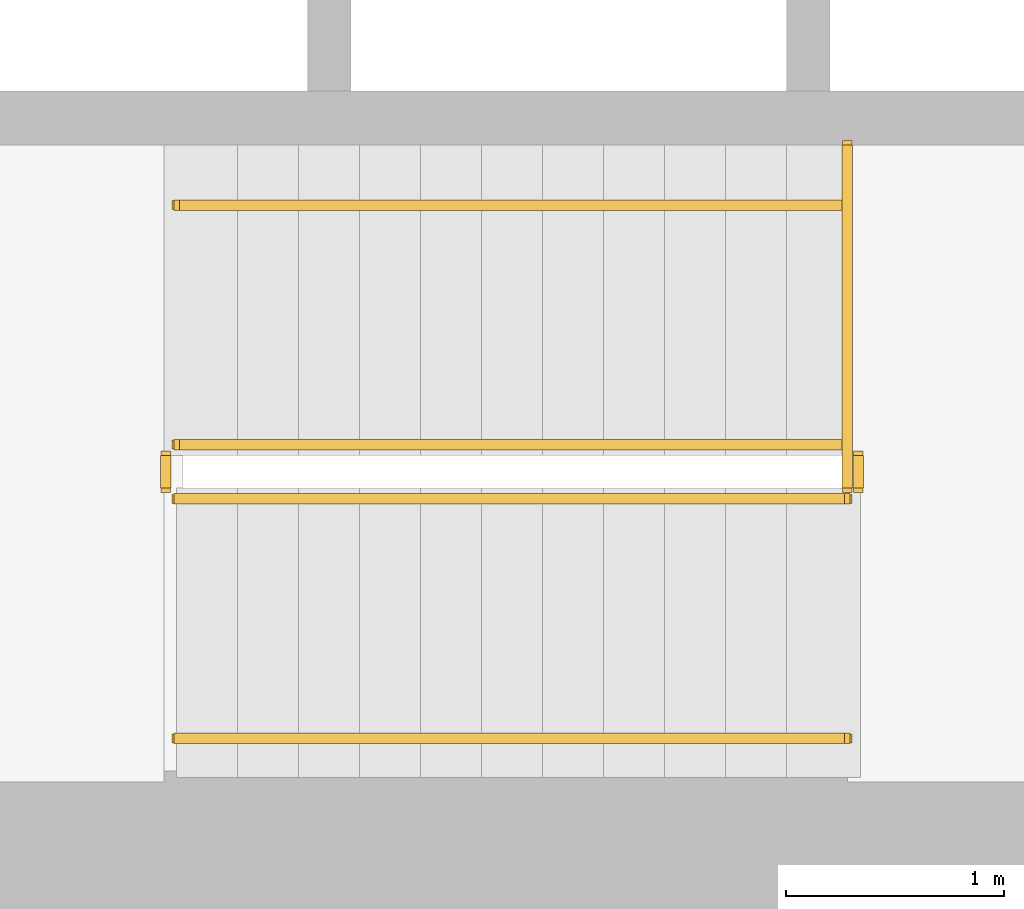
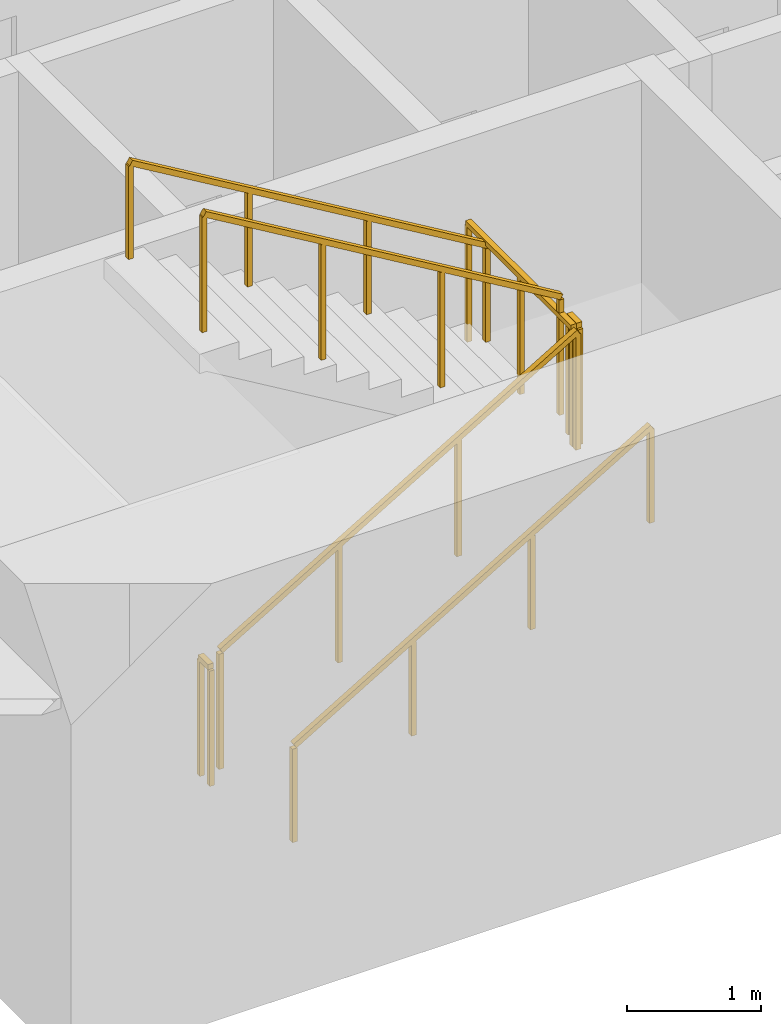
# One storey, part 13 of 16: 7 railings.
"""IFC4 building model written with IfcOpenShell, lengths in metres."""

from ifc_helpers import new_model, si_unit, direction, frame, origin, origin_2d, place, context, subcontext, project, spatial, rectangle, extrude, material, type_object, element, save


model = new_model("IFC4")

# Units and contexts
model_context = context("Model", 3, precision=1e-05, world=origin(), true_north=direction((0.0, 1.0)))
body_context = subcontext(model_context, "Body", "Model", "MODEL_VIEW")
ifc_project = project(units=[si_unit("LENGTHUNIT", "METRE"), si_unit("AREAUNIT", "SQUARE_METRE"), si_unit("VOLUMEUNIT", "CUBIC_METRE"), si_unit("PLANEANGLEUNIT", "RADIAN"), si_unit("MASSUNIT", "GRAM", prefix="KILO")], contexts=[model_context])

# Site, building, storey
site_placement = place(None, origin())
site = spatial("IfcSite", under=ifc_project, at=site_placement, CompositionType="ELEMENT")
building_placement = place(site_placement, origin())
building = spatial("IfcBuilding", under=site, at=building_placement, Name="Sennacour Bend Tower", CompositionType="ELEMENT")
storey_placement = place(building_placement, frame((0.0, 0.0, 69.0)))
storey = spatial("IfcBuildingStorey", under=building, at=storey_placement, Name="L15", CompositionType="ELEMENT", Elevation=69.0)

# Railings
ifc_material = material(Name="Stainless steel", Category="steel")
railing_type_1 = type_object("IfcRailingType", Name="RL-GUARD-1100", PredefinedType="GUARDRAIL", material=ifc_material)
railing_1_placement = place(storey_placement, frame((56.699951171875, 2.449951171875, 0.166748046875)))
element("IfcRailing", 1, at=railing_1_placement, inside=storey, type_object=railing_type_1, Name="L15 SA1 stair guard 1", PredefinedType="GUARDRAIL", context=body_context, shape_type="SweptSolid", body=[
    extrude(rectangle(XDim=0.048095703125, YDim=0.048095703125, at=origin_2d()), frame((0.0, 0.0, 1.076171875), z_axis=(0.859308565015, 0.0, 0.511457515432), x_axis=(0.0, 1.0, 0.0)), (0.0, 0.0, 1.0), 3.58447265625),
    extrude(rectangle(XDim=0.0419921875, YDim=0.0419921875, at=origin_2d()), origin(), (0.0, 0.0, 1.0), 1.052001953125),
    extrude(rectangle(XDim=0.0419921875, YDim=0.0419921875, at=origin_2d()), frame((1.026611328125, 0.0, 0.611083984375)), (0.0, 0.0, 1.0), 1.052001953125),
    extrude(rectangle(XDim=0.0419921875, YDim=0.0419921875, at=origin_2d()), frame((2.053466796875, 0.0, 1.22216796875)), (0.0, 0.0, 1.0), 1.052001953125),
    extrude(rectangle(XDim=0.0419921875, YDim=0.0419921875, at=origin_2d()), frame((3.080078125, 0.0, 1.833251953125)), (0.0, 0.0, 1.0), 1.052001953125),
])
railing_2_placement = place(storey_placement, frame((59.830078125, 2.5, 2.0)))
element("IfcRailing", 2, at=railing_2_placement, inside=storey, type_object=railing_type_1, Name="L15 SA1 stair guard 2", PredefinedType="GUARDRAIL", context=body_context, shape_type="SweptSolid", body=[
    extrude(rectangle(XDim=0.048095703125, YDim=0.048095703125, at=origin_2d()), frame((0.0, 0.0, 1.076171875), z_axis=(0.0, 1.0, 0.0), x_axis=(-1.0, 0.0, 0.0)), (0.0, 0.0, 1.0), 0.14990234375),
    extrude(rectangle(XDim=0.0419921875, YDim=0.0419921875, at=origin_2d()), origin(), (0.0, 0.0, 1.0), 1.052001953125),
    extrude(rectangle(XDim=0.0419921875, YDim=0.0419921875, at=origin_2d()), frame((0.0, 0.14990234375, 0.0)), (0.0, 0.0, 1.0), 1.052001953125),
])
railing_3_placement = place(storey_placement, frame((59.780029296875, 2.699951171875, 2.166748046875)))
element("IfcRailing", 3, at=railing_3_placement, inside=storey, type_object=railing_type_1, Name="L15 SA1 stair guard 4", PredefinedType="GUARDRAIL", context=body_context, shape_type="SweptSolid", body=[
    extrude(rectangle(XDim=0.048095703125, YDim=0.048095703125, at=origin_2d()), frame((0.0, 0.0, 1.076171875), z_axis=(-0.859308565015, 0.0, 0.511457515432), x_axis=(0.0, -1.0, 0.0)), (0.0, 0.0, 1.0), 3.58447265625),
    extrude(rectangle(XDim=0.0419921875, YDim=0.0419921875, at=origin_2d()), origin(), (0.0, 0.0, 1.0), 1.052001953125),
    extrude(rectangle(XDim=0.0419921875, YDim=0.0419921875, at=origin_2d()), frame((-1.026611328125, 0.0, 0.611083984375)), (0.0, 0.0, 1.0), 1.052001953125),
    extrude(rectangle(XDim=0.0419921875, YDim=0.0419921875, at=origin_2d()), frame((-2.053466796875, 0.0, 1.22216796875)), (0.0, 0.0, 1.0), 1.052001953125),
    extrude(rectangle(XDim=0.0419921875, YDim=0.0419921875, at=origin_2d()), frame((-3.080078125, 0.0, 1.833251953125)), (0.0, 0.0, 1.0), 1.052001953125),
])
railing_4_placement = place(storey_placement, frame((56.64990234375, 2.5, 0.0)))
element("IfcRailing", 4, at=railing_4_placement, inside=storey, type_object=railing_type_1, Name="L15 SA1 stair guard 5", PredefinedType="GUARDRAIL", context=body_context, shape_type="SweptSolid", body=[
    extrude(rectangle(XDim=0.048095703125, YDim=0.048095703125, at=origin_2d()), frame((0.0, 0.0, 1.076171875), z_axis=(0.0, 1.0, 0.0), x_axis=(-1.0, 0.0, 0.0)), (0.0, 0.0, 1.0), 0.14990234375),
    extrude(rectangle(XDim=0.0419921875, YDim=0.0419921875, at=origin_2d()), origin(), (0.0, 0.0, 1.0), 1.052001953125),
    extrude(rectangle(XDim=0.0419921875, YDim=0.0419921875, at=origin_2d()), frame((0.0, 0.14990234375, 0.0)), (0.0, 0.0, 1.0), 1.052001953125),
])
railing_5_placement = place(storey_placement, frame((59.780029296875, 2.5, 2.0)))
element("IfcRailing", 5, at=railing_5_placement, inside=storey, type_object=railing_type_1, Name="L15 SA1 landing edge guard 30", PredefinedType="GUARDRAIL", context=body_context, shape_type="SweptSolid", body=[
    extrude(rectangle(XDim=0.048095703125, YDim=0.048095703125, at=origin_2d()), frame((0.0, 0.0, 1.076171875), z_axis=(0.0, 1.0, 0.0), x_axis=(-1.0, 0.0, 0.0)), (0.0, 0.0, 1.0), 1.574951171875),
    extrude(rectangle(XDim=0.0419921875, YDim=0.0419921875, at=origin_2d()), origin(), (0.0, 0.0, 1.0), 1.052001953125),
    extrude(rectangle(XDim=0.0419921875, YDim=0.0419921875, at=origin_2d()), frame((0.0, 0.78759765625, 0.0)), (0.0, 0.0, 1.0), 1.052001953125),
    extrude(rectangle(XDim=0.0419921875, YDim=0.0419921875, at=origin_2d()), frame((0.0, 1.574951171875, 0.0)), (0.0, 0.0, 1.0), 1.052001953125),
])
railing_type_2 = type_object("IfcRailingType", Name="RL-HANDRAIL-900", PredefinedType="HANDRAIL", material=ifc_material)
railing_6_placement = place(storey_placement, frame((56.699951171875, 1.35009765625, 0.166748046875)))
element("IfcRailing", 6, at=railing_6_placement, inside=storey, type_object=railing_type_2, Name="L15 SA1 stair handrail 1", PredefinedType="HANDRAIL", context=body_context, shape_type="SweptSolid", body=[
    extrude(rectangle(XDim=0.048095703125, YDim=0.048095703125, at=origin_2d()), frame((0.0, 0.0, 0.8759765625), z_axis=(0.859308565015, 0.0, 0.511457515432), x_axis=(0.0, 1.0, 0.0)), (0.0, 0.0, 1.0), 3.58447265625),
    extrude(rectangle(XDim=0.0419921875, YDim=0.0419921875, at=origin_2d()), origin(), (0.0, 0.0, 1.0), 0.851806640625),
    extrude(rectangle(XDim=0.0419921875, YDim=0.0419921875, at=origin_2d()), frame((1.026611328125, 0.0, 0.611083984375)), (0.0, 0.0, 1.0), 0.851806640625),
    extrude(rectangle(XDim=0.0419921875, YDim=0.0419921875, at=origin_2d()), frame((2.053466796875, 0.0, 1.22216796875)), (0.0, 0.0, 1.0), 0.851806640625),
    extrude(rectangle(XDim=0.0419921875, YDim=0.0419921875, at=origin_2d()), frame((3.080078125, 0.0, 1.833251953125)), (0.0, 0.0, 1.0), 0.851806640625),
])
railing_7_placement = place(storey_placement, frame((59.780029296875, 3.800048828125, 2.166748046875)))
element("IfcRailing", 7, at=railing_7_placement, inside=storey, type_object=railing_type_2, Name="L15 SA1 stair handrail 2", PredefinedType="HANDRAIL", context=body_context, shape_type="SweptSolid", body=[
    extrude(rectangle(XDim=0.048095703125, YDim=0.048095703125, at=origin_2d()), frame((0.0, 0.0, 0.8759765625), z_axis=(-0.859308565015, 0.0, 0.511457515432), x_axis=(0.0, -1.0, 0.0)), (0.0, 0.0, 1.0), 3.58447265625),
    extrude(rectangle(XDim=0.0419921875, YDim=0.0419921875, at=origin_2d()), origin(), (0.0, 0.0, 1.0), 0.851806640625),
    extrude(rectangle(XDim=0.0419921875, YDim=0.0419921875, at=origin_2d()), frame((-1.026611328125, 0.0, 0.611083984375)), (0.0, 0.0, 1.0), 0.851806640625),
    extrude(rectangle(XDim=0.0419921875, YDim=0.0419921875, at=origin_2d()), frame((-2.053466796875, 0.0, 1.22216796875)), (0.0, 0.0, 1.0), 0.851806640625),
    extrude(rectangle(XDim=0.0419921875, YDim=0.0419921875, at=origin_2d()), frame((-3.080078125, 0.0, 1.833251953125)), (0.0, 0.0, 1.0), 0.851806640625),
])

save(model, "model.ifc")
